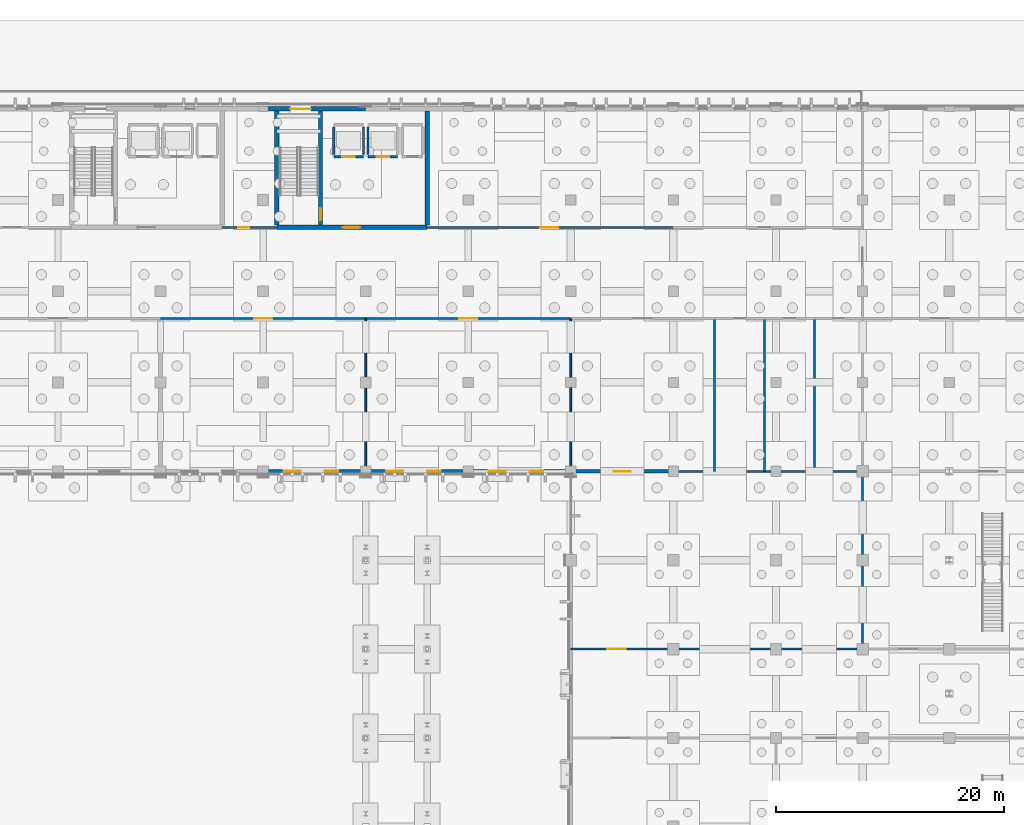
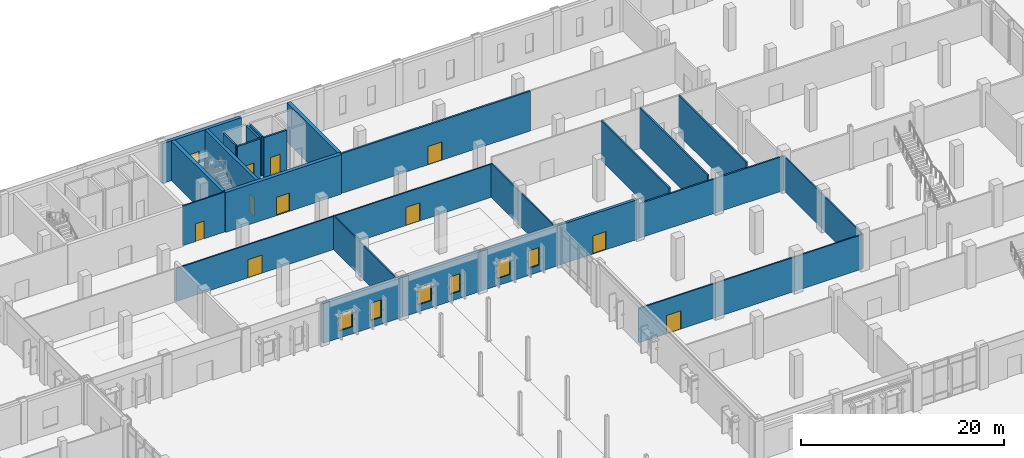
# One storey, part 67 of 94: 26 walls, 11 doors, 6 windows, 17 openings.
"""IFC4 building model written with IfcOpenShell, lengths in metres."""

from ifc_helpers import new_model, si_unit, direction, frame, frame_2d, origin, place, context, subcontext, project, spatial, rectangle, extrude, material, layer, layer_set, type_object, element, fill, save


model = new_model("IFC4")

# Units and contexts
model_context = context("Model", 3, precision=1e-05, world=origin(), true_north=direction((0.0, 1.0)))
body_context = subcontext(model_context, "Body", "Model", "MODEL_VIEW")
ifc_project = project(units=[si_unit("LENGTHUNIT", "METRE"), si_unit("AREAUNIT", "SQUARE_METRE"), si_unit("VOLUMEUNIT", "CUBIC_METRE"), si_unit("PLANEANGLEUNIT", "RADIAN"), si_unit("MASSUNIT", "GRAM", prefix="KILO")], contexts=[model_context])

# Site, building, storey
site_placement = place(None, origin())
site = spatial("IfcSite", under=ifc_project, at=site_placement, CompositionType="ELEMENT")
building_placement = place(site_placement, origin())
building = spatial("IfcBuilding", under=site, at=building_placement, Name="Vervanel Yard Central Library", CompositionType="ELEMENT")
storey_placement = place(building_placement, origin())
storey = spatial("IfcBuildingStorey", under=building, at=storey_placement, Name="L00", CompositionType="ELEMENT", Elevation=0.0)

# Wall, opening, door
ifc_material_1 = material(Name="Fire-rated gypsum board on steel studs", Category="steel")
ifc_layer_1 = layer(ifc_material_1, 0.159912109375, Category="steel")
ifc_layer_set_1 = layer_set([ifc_layer_1], Name="Fire-rated gypsum board on steel studs")
wall_type_1 = type_object("IfcWallType", Name="Acoustic Glazed Partition 160", PredefinedType="PARTITIONING", material=ifc_layer_set_1)
wall_1_placement = place(storey_placement, frame((90.0, 66.60009765625, 0.0), z_axis=(0.0, 0.0, 1.0), x_axis=(1.0, 0.0, 0.0)))
wall_1 = element("IfcWall", 1, at=wall_1_placement, inside=storey, type_object=wall_type_1, Name="L00 Acoustic Glazed Partition 160 IPART-L00-0032", PredefinedType="PARTITIONING", context=body_context, shape_type="SweptSolid", body=[
    extrude(rectangle(XDim=25.60009765625, YDim=0.159912109375, at=frame_2d((12.800048828125, 0.0))), origin(), (0.0, 0.0, 1.0), 4.152587890625),
])
opening_1_placement = place(wall_1_placement, frame((3.199951171875, 0.0, 0.0)))
opening_1 = element("IfcOpeningElement", 2, at=opening_1_placement, cuts=wall_1, Name="Opening DR-04", PredefinedType="OPENING", context=body_context, shape_type="SweptSolid", body=[
    extrude(rectangle(XDim=1.60009765625, YDim=2.199951171875, at=frame_2d((0.800048828125, 1.10009765625))), frame((0.0, 0.08984375, 0.0), z_axis=(0.0, -1.0, 0.0), x_axis=(1.0, 0.0, 0.0)), (0.0, 0.0, 1.0), 0.179931640625),
])
ifc_material_2 = material(Name="Solid white oak acoustic joinery", Category="wood")
door_type_1 = type_object("IfcDoorType", Name="Interior Double Reading Door 1600x2200", OperationType="NOTDEFINED", PredefinedType="DOOR", material=ifc_material_2)
door_1_placement = place(opening_1_placement, origin())
door_1 = element("IfcDoor", 3, at=door_1_placement, inside=storey, type_object=door_type_1, Name="L00 Interior Double Reading Door 1600x2200 IDOOR-L00-0023", OperationType="DOUBLE_DOOR_SINGLE_SWING", OverallHeight=2.199951171875, OverallWidth=1.60009765625, PredefinedType="DOOR", context=body_context, shape_type="SweptSolid", body=[
    extrude(rectangle(XDim=1.60009765625, YDim=2.199951171875, at=frame_2d((0.800048828125, 1.10009765625))), frame((0.0, 0.02490234375, 0.0), z_axis=(0.0, -1.0, 0.0), x_axis=(1.0, 0.0, 0.0)), (0.0, 0.0, 1.0), 0.050048828125),
])
fill(opening_1, door_1)

ifc_material_3 = material(Name="Concrete C45/55", Category="concrete")
ifc_layer_2 = layer(ifc_material_3, 0.39990234375, Category="concrete")
ifc_layer_set_2 = layer_set([ifc_layer_2], Name="Concrete C45/55")
wall_type_2 = type_object("IfcWallType", Name="Core Primary Shear Wall 400", PredefinedType="SHEAR", material=ifc_layer_set_2)
wall_2_placement = place(storey_placement, frame((64.199951171875, 103.60009765625, 0.0), z_axis=(0.0, 0.0, 1.0), x_axis=(1.0, 0.0, 0.0)))
wall_2 = element("IfcWall", 4, at=wall_2_placement, inside=storey, type_object=wall_type_2, Name="L00 CORE-B Shear Wall S", PredefinedType="SHEAR", context=body_context, shape_type="SweptSolid", body=[
    extrude(rectangle(XDim=13.199951171875, YDim=0.39990234375, at=frame_2d((6.60009765625, 0.0))), origin(), (0.0, 0.0, 1.0), 4.800048828125),
])
opening_2_placement = place(wall_2_placement, frame((5.800048828125, 0.0, 0.0)))
opening_2 = element("IfcOpeningElement", 5, at=opening_2_placement, cuts=wall_2, Name="Opening DR-F02", PredefinedType="OPENING", context=body_context, shape_type="SweptSolid", body=[
    extrude(rectangle(XDim=1.5, YDim=2.199951171875, at=frame_2d((0.75, 1.10009765625))), frame((0.0, 0.2099609375, 0.0), z_axis=(0.0, -1.0, 0.0), x_axis=(1.0, 0.0, 0.0)), (0.0, 0.0, 1.0), 0.419921875),
])
ifc_material_4 = material(Name="Galvanized painted steelwork ASTM A500 Grade C", Category="steel")
door_type_2 = type_object("IfcDoorType", Name="Fire-Rated Lobby Door 1500x2200", OperationType="NOTDEFINED", PredefinedType="DOOR", material=ifc_material_4)
door_2_placement = place(opening_2_placement, origin())
door_2 = element("IfcDoor", 6, at=door_2_placement, inside=storey, type_object=door_type_2, Name="L00 CORE-B Lobby Fire Door", OperationType="DOUBLE_DOOR_SINGLE_SWING", OverallHeight=2.199951171875, OverallWidth=1.5, PredefinedType="DOOR", context=body_context, shape_type="SweptSolid", body=[
    extrude(rectangle(XDim=1.5, YDim=2.199951171875, at=frame_2d((0.75, 1.10009765625))), frame((0.0, 0.02490234375, 0.0), z_axis=(0.0, -1.0, 0.0), x_axis=(1.0, 0.0, 0.0)), (0.0, 0.0, 1.0), 0.050048828125),
])
fill(opening_2, door_2)

# Walls
for number, where, z_axis, x_axis, name in (
    (7, (64.199951171875, 103.800048828125, 0.0), (0.0, 0.0, 1.0), (0.0, 1.0, 0.0), "L00 CORE-B Shear Wall W"),
    (8, (77.39990234375, 103.800048828125, 0.0), (0.0, 0.0, 1.0), (0.0, 1.0, 0.0), "L00 CORE-B Shear Wall E"),
):
    element("IfcWall", number, at=place(storey_placement, frame(where, z_axis=z_axis, x_axis=x_axis)), inside=storey, type_object=wall_type_2, Name=name, PredefinedType="SHEAR", context=body_context, shape_type="SweptSolid", body=[
        extrude(rectangle(XDim=10.010009765625, YDim=0.39990234375, at=frame_2d((5.0048828125, 0.0))), origin(), (0.0, 0.0, 1.0), 4.800048828125),
    ])

# Wall, opening, door
ifc_layer_3 = layer(ifc_material_3, 0.35009765625, Category="concrete")
ifc_layer_set_3 = layer_set([ifc_layer_3], Name="Concrete C45/55")
wall_type_3 = type_object("IfcWallType", Name="Core Secondary Shear Wall 350", PredefinedType="SHEAR", material=ifc_layer_set_3)
wall_3_placement = place(storey_placement, frame((68.02490234375, 103.800048828125, 0.0), z_axis=(0.0, 0.0, 1.0), x_axis=(0.0, 1.0, 0.0)))
wall_3 = element("IfcWall", 9, at=wall_3_placement, inside=storey, type_object=wall_type_3, Name="L00 CORE-B Stair Shaft Wall", PredefinedType="SHEAR", context=body_context, shape_type="SweptSolid", body=[
    extrude(rectangle(XDim=10.010009765625, YDim=0.35009765625, at=frame_2d((5.0048828125, 0.0))), origin(), (0.0, 0.0, 1.0), 4.800048828125),
])
opening_3_placement = place(wall_3_placement, frame((0.449951171875, 0.0, 0.0)))
opening_3 = element("IfcOpeningElement", 10, at=opening_3_placement, cuts=wall_3, Name="Opening DR-F01", PredefinedType="OPENING", context=body_context, shape_type="SweptSolid", body=[
    extrude(rectangle(XDim=1.050048828125, YDim=2.199951171875, at=frame_2d((0.52490234375, 1.10009765625))), frame((0.0, 0.18505859375, 0.0), z_axis=(0.0, -1.0, 0.0), x_axis=(1.0, 0.0, 0.0)), (0.0, 0.0, 1.0), 0.3701171875),
])
door_type_3 = type_object("IfcDoorType", Name="Fire-Rated Stair Exit Door 1050x2200", OperationType="NOTDEFINED", PredefinedType="DOOR", material=ifc_material_4)
door_3_placement = place(opening_3_placement, origin())
door_3 = element("IfcDoor", 11, at=door_3_placement, inside=storey, type_object=door_type_3, Name="L00 CORE-B Stair Door", OperationType="SINGLE_SWING_LEFT", OverallHeight=2.199951171875, OverallWidth=1.050048828125, PredefinedType="DOOR", context=body_context, shape_type="SweptSolid", body=[
    extrude(rectangle(XDim=1.050048828125, YDim=2.199951171875, at=frame_2d((0.52490234375, 1.10009765625))), frame((0.0, 0.02490234375, 0.0), z_axis=(0.0, -1.0, 0.0), x_axis=(1.0, 0.0, 0.0)), (0.0, 0.0, 1.0), 0.050048828125),
])
fill(opening_3, door_3)

# Wall, openings, windows
ifc_layer_4 = layer(ifc_material_3, 0.340087890625, Category="concrete")
ifc_layer_set_4 = layer_set([ifc_layer_4], Name="Concrete C45/55")
wall_type_4 = type_object("IfcWallType", Name="Exterior Bearing Concrete Frame Wall 340", PredefinedType="SOLIDWALL", material=ifc_layer_set_4)
wall_4_placement = place(storey_placement, frame((63.0, 82.199951171875, 0.0), z_axis=(0.0, 0.0, 1.0), x_axis=(1.0, 0.0, 0.0)))
wall_4 = element("IfcWall", 12, at=wall_4_placement, inside=storey, type_object=wall_type_4, Name="L00 Exterior Bearing Concrete Frame Wall 340 EWALL-L00-0014", PredefinedType="SOLIDWALL", context=body_context, shape_type="SweptSolid", body=[
    extrude(rectangle(XDim=9.0, YDim=0.340087890625, at=frame_2d((4.5, 0.0))), origin(), (0.0, 0.0, 1.0), 4.800048828125),
])
opening_4_placement = place(wall_4_placement, frame((1.800048828125, 0.0, 0.85009765625)))
opening_4 = element("IfcOpeningElement", 13, at=opening_4_placement, cuts=wall_4, Name="Opening WN-02", PredefinedType="OPENING", context=body_context, shape_type="SweptSolid", body=[
    extrude(rectangle(XDim=1.5, YDim=2.10009765625, at=frame_2d((0.75, 1.050048828125))), frame((0.0, 0.179931640625, 0.0), z_axis=(0.0, -1.0, 0.0), x_axis=(1.0, 0.0, 0.0)), (0.0, 0.0, 1.0), 0.360107421875),
])
opening_5_placement = place(wall_4_placement, frame((5.39990234375, 0.0, 0.85009765625)))
opening_5 = element("IfcOpeningElement", 14, at=opening_5_placement, cuts=wall_4, Name="Opening WN-01", PredefinedType="OPENING", context=body_context, shape_type="SweptSolid", body=[
    extrude(rectangle(XDim=1.199951171875, YDim=2.10009765625, at=frame_2d((0.60009765625, 1.050048828125))), frame((0.0, 0.179931640625, 0.0), z_axis=(0.0, -1.0, 0.0), x_axis=(1.0, 0.0, 0.0)), (0.0, 0.0, 1.0), 0.360107421875),
])
ifc_material_5 = material(Name="Double low-E laminated solar-control glass", Category="glass")
window_type_1 = type_object("IfcWindowType", Name="Reading Bay Window 1500x2100", PartitioningType="SINGLE_PANEL", PredefinedType="WINDOW", material=ifc_material_5)
window_1_placement = place(opening_4_placement, origin())
window_1 = element("IfcWindow", 15, at=window_1_placement, inside=storey, type_object=window_type_1, Name="L00 Reading Bay Window 1500x2100 19", OverallHeight=2.10009765625, OverallWidth=1.5, PartitioningType="SINGLE_PANEL", PredefinedType="WINDOW", context=body_context, shape_type="SweptSolid", body=[
    extrude(rectangle(XDim=1.5, YDim=2.10009765625, at=frame_2d((0.75, 1.050048828125))), frame((0.0, 0.030029296875, 0.0), z_axis=(0.0, -1.0, 0.0), x_axis=(1.0, 0.0, 0.0)), (0.0, 0.0, 1.0), 0.06005859375),
])
fill(opening_4, window_1)
window_type_2 = type_object("IfcWindowType", Name="Reading Slot Window 1200x2100", PartitioningType="SINGLE_PANEL", PredefinedType="WINDOW", material=ifc_material_5)
window_2_placement = place(opening_5_placement, origin())
window_2 = element("IfcWindow", 16, at=window_2_placement, inside=storey, type_object=window_type_2, Name="L00 Reading Slot Window 1200x2100 20", OverallHeight=2.10009765625, OverallWidth=1.199951171875, PartitioningType="SINGLE_PANEL", PredefinedType="WINDOW", context=body_context, shape_type="SweptSolid", body=[
    extrude(rectangle(XDim=1.199951171875, YDim=2.10009765625, at=frame_2d((0.60009765625, 1.050048828125))), frame((0.0, 0.030029296875, 0.0), z_axis=(0.0, -1.0, 0.0), x_axis=(1.0, 0.0, 0.0)), (0.0, 0.0, 1.0), 0.06005859375),
])
fill(opening_5, window_2)

wall_5_placement = place(storey_placement, frame((72.0, 82.199951171875, 0.0), z_axis=(0.0, 0.0, 1.0), x_axis=(1.0, 0.0, 0.0)))
wall_5 = element("IfcWall", 17, at=wall_5_placement, inside=storey, type_object=wall_type_4, Name="L00 Exterior Bearing Concrete Frame Wall 340 EWALL-L00-0015", PredefinedType="SOLIDWALL", context=body_context, shape_type="SweptSolid", body=[
    extrude(rectangle(XDim=9.0, YDim=0.340087890625, at=frame_2d((4.5, 0.0))), origin(), (0.0, 0.0, 1.0), 4.800048828125),
])
opening_6_placement = place(wall_5_placement, frame((1.800048828125, 0.0, 0.85009765625)))
opening_6 = element("IfcOpeningElement", 18, at=opening_6_placement, cuts=wall_5, Name="Opening WN-02", PredefinedType="OPENING", context=body_context, shape_type="SweptSolid", body=[
    extrude(rectangle(XDim=1.5, YDim=2.10009765625, at=frame_2d((0.75, 1.050048828125))), frame((0.0, 0.179931640625, 0.0), z_axis=(0.0, -1.0, 0.0), x_axis=(1.0, 0.0, 0.0)), (0.0, 0.0, 1.0), 0.360107421875),
])
opening_7_placement = place(wall_5_placement, frame((5.39990234375, 0.0, 0.85009765625)))
opening_7 = element("IfcOpeningElement", 19, at=opening_7_placement, cuts=wall_5, Name="Opening WN-01", PredefinedType="OPENING", context=body_context, shape_type="SweptSolid", body=[
    extrude(rectangle(XDim=1.199951171875, YDim=2.10009765625, at=frame_2d((0.60009765625, 1.050048828125))), frame((0.0, 0.179931640625, 0.0), z_axis=(0.0, -1.0, 0.0), x_axis=(1.0, 0.0, 0.0)), (0.0, 0.0, 1.0), 0.360107421875),
])
window_3_placement = place(opening_6_placement, origin())
window_3 = element("IfcWindow", 20, at=window_3_placement, inside=storey, type_object=window_type_1, Name="L00 Reading Bay Window 1500x2100 21", OverallHeight=2.10009765625, OverallWidth=1.5, PartitioningType="SINGLE_PANEL", PredefinedType="WINDOW", context=body_context, shape_type="SweptSolid", body=[
    extrude(rectangle(XDim=1.5, YDim=2.10009765625, at=frame_2d((0.75, 1.050048828125))), frame((0.0, 0.030029296875, 0.0), z_axis=(0.0, -1.0, 0.0), x_axis=(1.0, 0.0, 0.0)), (0.0, 0.0, 1.0), 0.06005859375),
])
fill(opening_6, window_3)
window_4_placement = place(opening_7_placement, origin())
window_4 = element("IfcWindow", 21, at=window_4_placement, inside=storey, type_object=window_type_2, Name="L00 Reading Slot Window 1200x2100 22", OverallHeight=2.10009765625, OverallWidth=1.199951171875, PartitioningType="SINGLE_PANEL", PredefinedType="WINDOW", context=body_context, shape_type="SweptSolid", body=[
    extrude(rectangle(XDim=1.199951171875, YDim=2.10009765625, at=frame_2d((0.60009765625, 1.050048828125))), frame((0.0, 0.030029296875, 0.0), z_axis=(0.0, -1.0, 0.0), x_axis=(1.0, 0.0, 0.0)), (0.0, 0.0, 1.0), 0.06005859375),
])
fill(opening_7, window_4)

wall_6_placement = place(storey_placement, frame((81.0, 82.199951171875, 0.0), z_axis=(0.0, 0.0, 1.0), x_axis=(1.0, 0.0, 0.0)))
wall_6 = element("IfcWall", 22, at=wall_6_placement, inside=storey, type_object=wall_type_4, Name="L00 Exterior Bearing Concrete Frame Wall 340 EWALL-L00-0016", PredefinedType="SOLIDWALL", context=body_context, shape_type="SweptSolid", body=[
    extrude(rectangle(XDim=9.0, YDim=0.340087890625, at=frame_2d((4.5, 0.0))), origin(), (0.0, 0.0, 1.0), 4.800048828125),
])
opening_8_placement = place(wall_6_placement, frame((1.800048828125, 0.0, 0.85009765625)))
opening_8 = element("IfcOpeningElement", 23, at=opening_8_placement, cuts=wall_6, Name="Opening WN-02", PredefinedType="OPENING", context=body_context, shape_type="SweptSolid", body=[
    extrude(rectangle(XDim=1.5, YDim=2.10009765625, at=frame_2d((0.75, 1.050048828125))), frame((0.0, 0.179931640625, 0.0), z_axis=(0.0, -1.0, 0.0), x_axis=(1.0, 0.0, 0.0)), (0.0, 0.0, 1.0), 0.360107421875),
])
opening_9_placement = place(wall_6_placement, frame((5.39990234375, 0.0, 0.85009765625)))
opening_9 = element("IfcOpeningElement", 24, at=opening_9_placement, cuts=wall_6, Name="Opening WN-01", PredefinedType="OPENING", context=body_context, shape_type="SweptSolid", body=[
    extrude(rectangle(XDim=1.199951171875, YDim=2.10009765625, at=frame_2d((0.60009765625, 1.050048828125))), frame((0.0, 0.179931640625, 0.0), z_axis=(0.0, -1.0, 0.0), x_axis=(1.0, 0.0, 0.0)), (0.0, 0.0, 1.0), 0.360107421875),
])
window_5_placement = place(opening_8_placement, origin())
window_5 = element("IfcWindow", 25, at=window_5_placement, inside=storey, type_object=window_type_1, Name="L00 Reading Bay Window 1500x2100 23", OverallHeight=2.10009765625, OverallWidth=1.5, PartitioningType="SINGLE_PANEL", PredefinedType="WINDOW", context=body_context, shape_type="SweptSolid", body=[
    extrude(rectangle(XDim=1.5, YDim=2.10009765625, at=frame_2d((0.75, 1.050048828125))), frame((0.0, 0.030029296875, 0.0), z_axis=(0.0, -1.0, 0.0), x_axis=(1.0, 0.0, 0.0)), (0.0, 0.0, 1.0), 0.06005859375),
])
fill(opening_8, window_5)
window_6_placement = place(opening_9_placement, origin())
window_6 = element("IfcWindow", 26, at=window_6_placement, inside=storey, type_object=window_type_2, Name="L00 Reading Slot Window 1200x2100 24", OverallHeight=2.10009765625, OverallWidth=1.199951171875, PartitioningType="SINGLE_PANEL", PredefinedType="WINDOW", context=body_context, shape_type="SweptSolid", body=[
    extrude(rectangle(XDim=1.199951171875, YDim=2.10009765625, at=frame_2d((0.60009765625, 1.050048828125))), frame((0.0, 0.030029296875, 0.0), z_axis=(0.0, -1.0, 0.0), x_axis=(1.0, 0.0, 0.0)), (0.0, 0.0, 1.0), 0.06005859375),
])
fill(opening_9, window_6)

# Wall, opening, door
ifc_layer_5 = layer(ifc_material_3, 0.3798828125, Category="concrete")
ifc_layer_set_5 = layer_set([ifc_layer_5], Name="Concrete C45/55")
wall_type_5 = type_object("IfcWallType", Name="Exterior Bearing Concrete Spine Wall 380", PredefinedType="SOLIDWALL", material=ifc_layer_set_5)
wall_7_placement = place(storey_placement, frame((63.0, 114.0, 0.0), z_axis=(0.0, 0.0, 1.0), x_axis=(1.0, 0.0, 0.0)))
wall_7 = element("IfcWall", 27, at=wall_7_placement, inside=storey, type_object=wall_type_5, Name="L00 Exterior Bearing Concrete Spine Wall 380 EWALL-L00-0004", PredefinedType="SOLIDWALL", context=body_context, shape_type="SweptSolid", body=[
    extrude(rectangle(XDim=9.0, YDim=0.3798828125, at=frame_2d((4.5, 0.0))), origin(), (0.0, 0.0, 1.0), 4.800048828125),
])
opening_10_placement = place(wall_7_placement, frame((2.39990234375, 0.0, 0.0)))
opening_10 = element("IfcOpeningElement", 28, at=opening_10_placement, cuts=wall_7, Name="Opening DR-E02", PredefinedType="OPENING", context=body_context, shape_type="SweptSolid", body=[
    extrude(rectangle(XDim=1.800048828125, YDim=2.39990234375, at=frame_2d((0.89990234375, 1.199951171875))), frame((0.0, 0.199951171875, 0.0), z_axis=(0.0, -1.0, 0.0), x_axis=(1.0, 0.0, 0.0)), (0.0, 0.0, 1.0), 0.39990234375),
])
ifc_material_6 = material(Name="Galvanized hollow steel door assembly", Category="steel")
door_type_4 = type_object("IfcDoorType", Name="Double Pedestrian Exit Door 1800x2400", OperationType="NOTDEFINED", PredefinedType="DOOR", material=ifc_material_6)
door_4_placement = place(opening_10_placement, origin())
door_4 = element("IfcDoor", 29, at=door_4_placement, inside=storey, type_object=door_type_4, Name="L00 Double Pedestrian Exit Door 1800x2400 2", OperationType="DOUBLE_DOOR_SINGLE_SWING", OverallHeight=2.39990234375, OverallWidth=1.800048828125, PredefinedType="DOOR", context=body_context, shape_type="SweptSolid", body=[
    extrude(rectangle(XDim=1.800048828125, YDim=2.39990234375, at=frame_2d((0.89990234375, 1.199951171875))), frame((0.0, 0.02490234375, 0.0), z_axis=(0.0, -1.0, 0.0), x_axis=(1.0, 0.0, 0.0)), (0.0, 0.0, 1.0), 0.050048828125),
])
fill(opening_10, door_4)

ifc_layer_6 = layer(ifc_material_1, 0.14990234375, Category="steel")
ifc_layer_set_6 = layer_set([ifc_layer_6], Name="Fire-rated gypsum board on steel studs")
wall_type_6 = type_object("IfcWallType", Name="Interior Partition 150", PredefinedType="PARTITIONING", material=ifc_layer_set_6)
wall_8_placement = place(storey_placement, frame((54.0, 95.60009765625, 0.0), z_axis=(0.0, 0.0, 1.0), x_axis=(1.0, 0.0, 0.0)))
wall_8 = element("IfcWall", 30, at=wall_8_placement, inside=storey, type_object=wall_type_6, Name="L00 Interior Partition 150 IPART-L00-0002", PredefinedType="PARTITIONING", context=body_context, shape_type="SweptSolid", body=[
    extrude(rectangle(XDim=18.0, YDim=0.14990234375, at=frame_2d((9.0, 0.0))), origin(), (0.0, 0.0, 1.0), 3.9951171875),
])
opening_11_placement = place(wall_8_placement, frame((8.199951171875, 0.0, 0.0)))
opening_11 = element("IfcOpeningElement", 31, at=opening_11_placement, cuts=wall_8, Name="Opening DR-04", PredefinedType="OPENING", context=body_context, shape_type="SweptSolid", body=[
    extrude(rectangle(XDim=1.60009765625, YDim=2.199951171875, at=frame_2d((0.800048828125, 1.10009765625))), frame((0.0, 0.0849609375, 0.0), z_axis=(0.0, -1.0, 0.0), x_axis=(1.0, 0.0, 0.0)), (0.0, 0.0, 1.0), 0.169921875),
])
door_5_placement = place(opening_11_placement, origin())
door_5 = element("IfcDoor", 32, at=door_5_placement, inside=storey, type_object=door_type_1, Name="L00 Interior Double Reading Door 1600x2200 IDOOR-L00-0002", OperationType="DOUBLE_DOOR_SINGLE_SWING", OverallHeight=2.199951171875, OverallWidth=1.60009765625, PredefinedType="DOOR", context=body_context, shape_type="SweptSolid", body=[
    extrude(rectangle(XDim=1.60009765625, YDim=2.199951171875, at=frame_2d((0.800048828125, 1.10009765625))), frame((0.0, 0.02490234375, 0.0), z_axis=(0.0, -1.0, 0.0), x_axis=(1.0, 0.0, 0.0)), (0.0, 0.0, 1.0), 0.050048828125),
])
fill(opening_11, door_5)

wall_9_placement = place(storey_placement, frame((72.0, 95.60009765625, 0.0), z_axis=(0.0, 0.0, 1.0), x_axis=(1.0, 0.0, 0.0)))
wall_9 = element("IfcWall", 33, at=wall_9_placement, inside=storey, type_object=wall_type_6, Name="L00 Interior Partition 150 IPART-L00-0004", PredefinedType="PARTITIONING", context=body_context, shape_type="SweptSolid", body=[
    extrude(rectangle(XDim=18.0, YDim=0.14990234375, at=frame_2d((9.0, 0.0))), origin(), (0.0, 0.0, 1.0), 3.9951171875),
])
opening_12_placement = place(wall_9_placement, frame((8.199951171875, 0.0, 0.0)))
opening_12 = element("IfcOpeningElement", 34, at=opening_12_placement, cuts=wall_9, Name="Opening DR-04", PredefinedType="OPENING", context=body_context, shape_type="SweptSolid", body=[
    extrude(rectangle(XDim=1.60009765625, YDim=2.199951171875, at=frame_2d((0.800048828125, 1.10009765625))), frame((0.0, 0.0849609375, 0.0), z_axis=(0.0, -1.0, 0.0), x_axis=(1.0, 0.0, 0.0)), (0.0, 0.0, 1.0), 0.169921875),
])
door_6_placement = place(opening_12_placement, origin())
door_6 = element("IfcDoor", 35, at=door_6_placement, inside=storey, type_object=door_type_1, Name="L00 Interior Double Reading Door 1600x2200 IDOOR-L00-0003", OperationType="DOUBLE_DOOR_SINGLE_SWING", OverallHeight=2.199951171875, OverallWidth=1.60009765625, PredefinedType="DOOR", context=body_context, shape_type="SweptSolid", body=[
    extrude(rectangle(XDim=1.60009765625, YDim=2.199951171875, at=frame_2d((0.800048828125, 1.10009765625))), frame((0.0, 0.02490234375, 0.0), z_axis=(0.0, -1.0, 0.0), x_axis=(1.0, 0.0, 0.0)), (0.0, 0.0, 1.0), 0.050048828125),
])
fill(opening_12, door_6)

# Walls
for number, where, z_axis, x_axis, name in (
    (36, (72.0, 82.199951171875, 0.0), (0.0, 0.0, 1.0), (0.0, 1.0, 0.0), "L00 Interior Partition 150 IPART-L00-0005"),
    (37, (90.0, 82.199951171875, 0.0), (0.0, 0.0, 1.0), (0.0, 1.0, 0.0), "L00 Interior Partition 150 IPART-L00-0007"),
):
    element("IfcWall", number, at=place(storey_placement, frame(where, z_axis=z_axis, x_axis=x_axis)), inside=storey, type_object=wall_type_6, Name=name, PredefinedType="PARTITIONING", context=body_context, shape_type="SweptSolid", body=[
        extrude(rectangle(XDim=13.400146484375, YDim=0.14990234375, at=frame_2d((6.7001953125, 0.0))), origin(), (0.0, 0.0, 1.0), 4.094970703125),
    ])

# Wall, opening, door
wall_10_placement = place(storey_placement, frame((59.39990234375, 103.60009765625, 0.0), z_axis=(0.0, 0.0, 1.0), x_axis=(1.0, 0.0, 0.0)))
wall_10 = element("IfcWall", 38, at=wall_10_placement, inside=storey, type_object=wall_type_6, Name="L00 Interior Partition 150 IPART-L00-0015", PredefinedType="PARTITIONING", context=body_context, shape_type="SweptSolid", body=[
    extrude(rectangle(XDim=4.800048828125, YDim=0.14990234375, at=frame_2d((2.39990234375, 0.0))), origin(), (0.0, 0.0, 1.0), 4.800048828125),
])
opening_13_placement = place(wall_10_placement, frame((1.39990234375, 0.0, 0.0)))
opening_13 = element("IfcOpeningElement", 39, at=opening_13_placement, cuts=wall_10, Name="Opening DR-01", PredefinedType="OPENING", context=body_context, shape_type="SweptSolid", body=[
    extrude(rectangle(XDim=1.0, YDim=2.14990234375, at=frame_2d((0.5, 1.074951171875))), frame((0.0, 0.0849609375, 0.0), z_axis=(0.0, -1.0, 0.0), x_axis=(1.0, 0.0, 0.0)), (0.0, 0.0, 1.0), 0.169921875),
])
door_type_5 = type_object("IfcDoorType", Name="Interior Single Door 1000x2150", OperationType="NOTDEFINED", PredefinedType="DOOR", material=ifc_material_2)
door_7_placement = place(opening_13_placement, origin())
door_7 = element("IfcDoor", 40, at=door_7_placement, inside=storey, type_object=door_type_5, Name="L00 Interior Single Door 1000x2150 IDOOR-L00-0009", OperationType="SINGLE_SWING_RIGHT", OverallHeight=2.14990234375, OverallWidth=1.0, PredefinedType="DOOR", context=body_context, shape_type="SweptSolid", body=[
    extrude(rectangle(XDim=1.0, YDim=2.14990234375, at=frame_2d((0.5, 1.074951171875))), frame((0.0, 0.02490234375, 0.0), z_axis=(0.0, -1.0, 0.0), x_axis=(1.0, 0.0, 0.0)), (0.0, 0.0, 1.0), 0.050048828125),
])
fill(opening_13, door_7)

# Walls
wall_11_placement = place(storey_placement, frame((115.60009765625, 66.60009765625, 0.0), z_axis=(0.0, 0.0, 1.0), x_axis=(0.0, 1.0, 0.0)))
element("IfcWall", 41, at=wall_11_placement, inside=storey, type_object=wall_type_6, Name="L00 Interior Partition 150 IPART-L00-0034", PredefinedType="PARTITIONING", context=body_context, shape_type="SweptSolid", body=[
    extrude(rectangle(XDim=15.599853515625, YDim=0.14990234375, at=frame_2d((7.7998046875, 0.0))), origin(), (0.0, 0.0, 1.0), 4.162841796875),
])
ifc_layer_7 = layer(ifc_material_1, 0.179931640625, Category="steel")
ifc_layer_set_7 = layer_set([ifc_layer_7], Name="Fire-rated gypsum board on steel studs")
wall_type_7 = type_object("IfcWallType", Name="Plumbing Chase Wall 180", PredefinedType="PLUMBINGWALL", material=ifc_layer_set_7)
for number, where, z_axis, x_axis, name in (
    (42, (102.60009765625, 82.199951171875, 0.0), (0.0, 0.0, 1.0), (0.0, 1.0, 0.0), "L00 Plumbing Chase Wall 180 IPART-L00-0009"),
    (43, (107.0, 82.199951171875, 0.0), (0.0, 0.0, 1.0), (0.0, 1.0, 0.0), "L00 Plumbing Chase Wall 180 IPART-L00-0011"),
    (44, (111.39990234375, 82.199951171875, 0.0), (0.0, 0.0, 1.0), (0.0, 1.0, 0.0), "L00 Plumbing Chase Wall 180 IPART-L00-0013"),
):
    element("IfcWall", number, at=place(storey_placement, frame(where, z_axis=z_axis, x_axis=x_axis)), inside=storey, type_object=wall_type_7, Name=name, PredefinedType="PLUMBINGWALL", context=body_context, shape_type="SweptSolid", body=[
        extrude(rectangle(XDim=13.400146484375, YDim=0.179931640625, at=frame_2d((6.7001953125, 0.0))), origin(), (0.0, 0.0, 1.0), 4.800048828125),
    ])
wall_12_placement = place(storey_placement, frame((99.0, 82.199951171875, 0.0), z_axis=(0.0, 0.0, 1.0), x_axis=(1.0, 0.0, 0.0)))
element("IfcWall", 45, at=wall_12_placement, inside=storey, type_object=wall_type_7, Name="L00 Plumbing Chase Wall 180 IPART-RC2-L00-WCS", PredefinedType="PLUMBINGWALL", context=body_context, shape_type="SweptSolid", body=[
    extrude(rectangle(XDim=16.60009765625, YDim=0.179931640625, at=frame_2d((8.300048828125, 0.0))), origin(), (0.0, 0.0, 1.0), 4.152587890625),
])

# Wall, opening, door
ifc_material_7 = material(Name="Concrete C40/50", Category="concrete")
ifc_layer_8 = layer(ifc_material_7, 0.199951171875, Category="concrete")
ifc_layer_set_8 = layer_set([ifc_layer_8], Name="Concrete C40/50")
wall_type_8 = type_object("IfcWallType", Name="Shaft & Plant Rated Wall 200", PredefinedType="PARTITIONING", material=ifc_layer_set_8)
wall_13_placement = place(storey_placement, frame((69.199951171875, 109.800048828125, 0.0), z_axis=(0.0, 0.0, 1.0), x_axis=(1.0, 0.0, 0.0)))
wall_13 = element("IfcWall", 46, at=wall_13_placement, inside=storey, type_object=wall_type_8, Name="L00 CORE-B-L00-EL-03 Shaft Wall S", PredefinedType="PARTITIONING", context=body_context, shape_type="SweptSolid", body=[
    extrude(rectangle(XDim=2.60009765625, YDim=0.199951171875, at=frame_2d((1.300048828125, 0.0))), origin(), (0.0, 0.0, 1.0), 4.800048828125),
])
opening_14_placement = place(wall_13_placement, frame((0.75, 0.0, 0.0)))
opening_14 = element("IfcOpeningElement", 47, at=opening_14_placement, cuts=wall_13, Name="Opening LD-01", PredefinedType="OPENING", context=body_context, shape_type="SweptSolid", body=[
    extrude(rectangle(XDim=1.10009765625, YDim=2.14990234375, at=frame_2d((0.550048828125, 1.074951171875))), frame((0.0, 0.10986328125, 0.0), z_axis=(0.0, -1.0, 0.0), x_axis=(1.0, 0.0, 0.0)), (0.0, 0.0, 1.0), 0.219970703125),
])
ifc_material_8 = material(Name="Brushed stainless steel AISI 316", Category="steel")
door_type_6 = type_object("IfcDoorType", Name="Passenger Lift Sliding Landing Door 1100x2150", OperationType="NOTDEFINED", PredefinedType="DOOR", material=ifc_material_8)
door_8_placement = place(opening_14_placement, origin())
door_8 = element("IfcDoor", 48, at=door_8_placement, inside=storey, type_object=door_type_6, Name="L00 Lift EL-03 Landing Door", OperationType="SLIDING_TO_LEFT", OverallHeight=2.14990234375, OverallWidth=1.10009765625, PredefinedType="DOOR", context=body_context, shape_type="SweptSolid", body=[
    extrude(rectangle(XDim=1.10009765625, YDim=2.14990234375, at=frame_2d((0.550048828125, 1.074951171875))), frame((0.0, 0.02490234375, 0.0), z_axis=(0.0, -1.0, 0.0), x_axis=(1.0, 0.0, 0.0)), (0.0, 0.0, 1.0), 0.050048828125),
])
fill(opening_14, door_8)

# Walls
for number, where, z_axis, x_axis, name in (
    (49, (69.199951171875, 110.0, 0.0), (0.0, 0.0, 1.0), (0.0, 1.0, 0.0), "L00 CORE-B-L00-EL-03 Shaft Wall W"),
    (50, (71.800048828125, 110.0, 0.0), (0.0, 0.0, 1.0), (0.0, 1.0, 0.0), "L00 CORE-B-L00-EL-03 Shaft Wall E"),
):
    element("IfcWall", number, at=place(storey_placement, frame(where, z_axis=z_axis, x_axis=x_axis)), inside=storey, type_object=wall_type_8, Name=name, PredefinedType="PARTITIONING", context=body_context, shape_type="SweptSolid", body=[
        extrude(rectangle(XDim=2.39990234375, YDim=0.199951171875, at=frame_2d((1.199951171875, 0.0))), origin(), (0.0, 0.0, 1.0), 4.800048828125),
    ])

# Wall, opening, door
wall_14_placement = place(storey_placement, frame((72.199951171875, 109.800048828125, 0.0), z_axis=(0.0, 0.0, 1.0), x_axis=(1.0, 0.0, 0.0)))
wall_14 = element("IfcWall", 51, at=wall_14_placement, inside=storey, type_object=wall_type_8, Name="L00 CORE-B-L00-EL-04 Shaft Wall S", PredefinedType="PARTITIONING", context=body_context, shape_type="SweptSolid", body=[
    extrude(rectangle(XDim=2.60009765625, YDim=0.199951171875, at=frame_2d((1.300048828125, 0.0))), origin(), (0.0, 0.0, 1.0), 4.800048828125),
])
opening_15_placement = place(wall_14_placement, frame((0.75, 0.0, 0.0)))
opening_15 = element("IfcOpeningElement", 52, at=opening_15_placement, cuts=wall_14, Name="Opening LD-01", PredefinedType="OPENING", context=body_context, shape_type="SweptSolid", body=[
    extrude(rectangle(XDim=1.10009765625, YDim=2.14990234375, at=frame_2d((0.550048828125, 1.074951171875))), frame((0.0, 0.10986328125, 0.0), z_axis=(0.0, -1.0, 0.0), x_axis=(1.0, 0.0, 0.0)), (0.0, 0.0, 1.0), 0.219970703125),
])
door_9_placement = place(opening_15_placement, origin())
door_9 = element("IfcDoor", 53, at=door_9_placement, inside=storey, type_object=door_type_6, Name="L00 Lift EL-04 Landing Door", OperationType="SLIDING_TO_RIGHT", OverallHeight=2.14990234375, OverallWidth=1.10009765625, PredefinedType="DOOR", context=body_context, shape_type="SweptSolid", body=[
    extrude(rectangle(XDim=1.10009765625, YDim=2.14990234375, at=frame_2d((0.550048828125, 1.074951171875))), frame((0.0, 0.02490234375, 0.0), z_axis=(0.0, -1.0, 0.0), x_axis=(1.0, 0.0, 0.0)), (0.0, 0.0, 1.0), 0.050048828125),
])
fill(opening_15, door_9)

# Wall
wall_15_placement = place(storey_placement, frame((72.199951171875, 110.0, 0.0), z_axis=(0.0, 0.0, 1.0), x_axis=(0.0, 1.0, 0.0)))
element("IfcWall", 54, at=wall_15_placement, inside=storey, type_object=wall_type_8, Name="L00 CORE-B-L00-EL-04 Shaft Wall W", PredefinedType="PARTITIONING", context=body_context, shape_type="SweptSolid", body=[
    extrude(rectangle(XDim=2.39990234375, YDim=0.199951171875, at=frame_2d((1.199951171875, 0.0))), origin(), (0.0, 0.0, 1.0), 4.800048828125),
])

# Wall, opening, door
wall_16_placement = place(storey_placement, frame((77.39990234375, 103.60009765625, 0.0), z_axis=(0.0, 0.0, 1.0), x_axis=(1.0, 0.0, 0.0)))
wall_16 = element("IfcWall", 55, at=wall_16_placement, inside=storey, type_object=wall_type_8, Name="L00 Shaft & Plant Rated Wall 200 IPART-L00-0016", PredefinedType="PARTITIONING", context=body_context, shape_type="SweptSolid", body=[
    extrude(rectangle(XDim=21.60009765625, YDim=0.199951171875, at=frame_2d((10.800048828125, 0.0))), origin(), (0.0, 0.0, 1.0), 4.800048828125),
])
opening_16_placement = place(wall_16_placement, frame((9.89990234375, 0.0, 0.0)))
opening_16 = element("IfcOpeningElement", 56, at=opening_16_placement, cuts=wall_16, Name="Opening DR-F03", PredefinedType="OPENING", context=body_context, shape_type="SweptSolid", body=[
    extrude(rectangle(XDim=1.60009765625, YDim=2.199951171875, at=frame_2d((0.800048828125, 1.10009765625))), frame((0.0, 0.10986328125, 0.0), z_axis=(0.0, -1.0, 0.0), x_axis=(1.0, 0.0, 0.0)), (0.0, 0.0, 1.0), 0.219970703125),
])
door_type_7 = type_object("IfcDoorType", Name="Fire-Rated Plant Double Door 1600x2200", OperationType="NOTDEFINED", PredefinedType="DOOR", material=ifc_material_4)
door_10_placement = place(opening_16_placement, origin())
door_10 = element("IfcDoor", 57, at=door_10_placement, inside=storey, type_object=door_type_7, Name="L00 Fire-Rated Plant Double Door 1600x2200 IDOOR-L00-0010", OperationType="DOUBLE_DOOR_SINGLE_SWING", OverallHeight=2.199951171875, OverallWidth=1.60009765625, PredefinedType="DOOR", context=body_context, shape_type="SweptSolid", body=[
    extrude(rectangle(XDim=1.60009765625, YDim=2.199951171875, at=frame_2d((0.800048828125, 1.10009765625))), frame((0.0, 0.02490234375, 0.0), z_axis=(0.0, -1.0, 0.0), x_axis=(1.0, 0.0, 0.0)), (0.0, 0.0, 1.0), 0.050048828125),
])
fill(opening_16, door_10)

ifc_layer_9 = layer(ifc_material_3, 0.320068359375, Category="concrete")
ifc_layer_set_9 = layer_set([ifc_layer_9], Name="Concrete C45/55")
wall_type_9 = type_object("IfcWallType", Name="Spine Lateral Shear Wall 320", PredefinedType="SHEAR", material=ifc_layer_set_9)
wall_17_placement = place(storey_placement, frame((90.0, 82.199951171875, 0.0), z_axis=(0.0, 0.0, 1.0), x_axis=(1.0, 0.0, 0.0)))
wall_17 = element("IfcWall", 58, at=wall_17_placement, inside=storey, type_object=wall_type_9, Name="L00 V1-V3 Spine Shear Wall", PredefinedType="SHEAR", context=body_context, shape_type="SweptSolid", body=[
    extrude(rectangle(XDim=9.0, YDim=0.320068359375, at=frame_2d((4.5, 0.0))), origin(), (0.0, 0.0, 1.0), 4.800048828125),
])
opening_17_placement = place(wall_17_placement, frame((3.75, 0.0, 0.0)))
opening_17 = element("IfcOpeningElement", 59, at=opening_17_placement, cuts=wall_17, Name="Opening DR-F02", PredefinedType="OPENING", context=body_context, shape_type="SweptSolid", body=[
    extrude(rectangle(XDim=1.5, YDim=2.199951171875, at=frame_2d((0.75, 1.10009765625))), frame((0.0, 0.169921875, 0.0), z_axis=(0.0, -1.0, 0.0), x_axis=(1.0, 0.0, 0.0)), (0.0, 0.0, 1.0), 0.340087890625),
])
door_11_placement = place(opening_17_placement, origin())
door_11 = element("IfcDoor", 60, at=door_11_placement, inside=storey, type_object=door_type_2, Name="L00 Spine-to-Reading-Hall Fire Door", OperationType="DOUBLE_DOOR_SINGLE_SWING", OverallHeight=2.199951171875, OverallWidth=1.5, PredefinedType="DOOR", context=body_context, shape_type="SweptSolid", body=[
    extrude(rectangle(XDim=1.5, YDim=2.199951171875, at=frame_2d((0.75, 1.10009765625))), frame((0.0, 0.02490234375, 0.0), z_axis=(0.0, -1.0, 0.0), x_axis=(1.0, 0.0, 0.0)), (0.0, 0.0, 1.0), 0.050048828125),
])
fill(opening_17, door_11)

save(model, "model.ifc")
